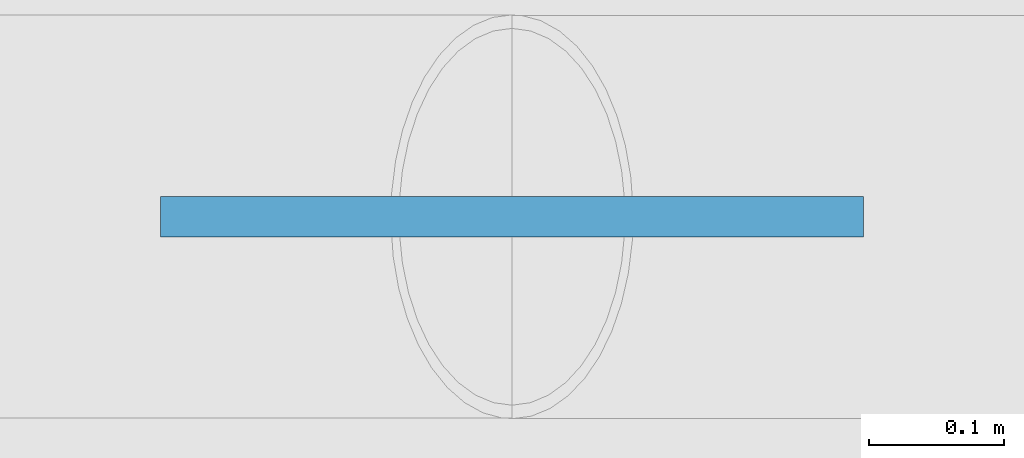
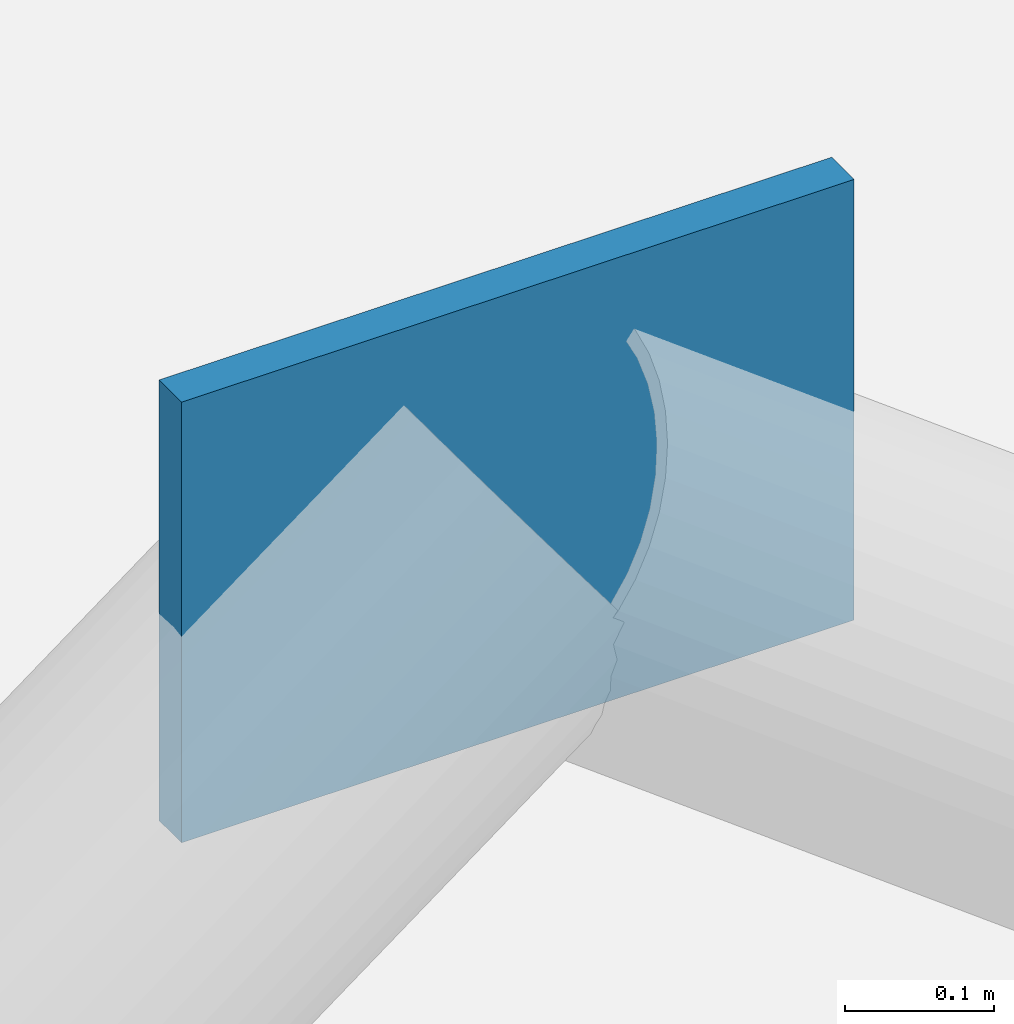
# One storey, part 70 of 123: 1 plate.
"""IFC4 building model written with IfcOpenShell, lengths in metres."""

from ifc_helpers import new_model, si_unit, derived_unit, direction, frame, origin, origin_2d, place, context, subcontext, project, spatial, rectangle, extrude, material, layer, layer_set, type_object, element, save


model = new_model("IFC4")

# Units and contexts
model_context = context("Model", 3, precision=1e-05, world=origin(), true_north=direction((0.0, 1.0)))
body_context = subcontext(model_context, "Body", "Model", "MODEL_VIEW")
ifc_project = project(units=[si_unit("LENGTHUNIT", "METRE"), si_unit("AREAUNIT", "SQUARE_METRE"), si_unit("VOLUMEUNIT", "CUBIC_METRE"), si_unit("PLANEANGLEUNIT", "RADIAN"), si_unit("MASSUNIT", "GRAM", prefix="KILO"), si_unit("THERMODYNAMICTEMPERATUREUNIT", "KELVIN"), derived_unit("THERMALTRANSMITTANCEUNIT", [(si_unit("POWERUNIT", "WATT"), 1), (si_unit("AREAUNIT", "SQUARE_METRE"), -1), (si_unit("THERMODYNAMICTEMPERATUREUNIT", "KELVIN"), -1)])], contexts=[model_context])

# Site, building, storey
site_placement = place(None, origin())
site = spatial("IfcSite", under=ifc_project, at=site_placement, CompositionType="ELEMENT")
building_placement = place(site_placement, origin())
building = spatial("IfcBuilding", under=site, at=building_placement, Name="Haiyu Intermodal Mobility Hub", CompositionType="ELEMENT")
storey_placement = place(building_placement, frame((0.0, 0.0, 5.60009765625)))
storey = spatial("IfcBuildingStorey", under=building, at=storey_placement, Name="L01", CompositionType="ELEMENT", Elevation=5.60009765625)

# Plate
ifc_material = material(Name="Steel Q355C", Category="steel")
ifc_layer = layer(ifc_material, 0.030029296875)
ifc_layer_set = layer_set([ifc_layer], Name="Steel Q355C")
plate_type = type_object("IfcPlateType", Name="PLT-GP05", PredefinedType="USERDEFINED", material=ifc_layer_set)
plate_placement = place(storey_placement, frame((182.0, 122.0, 2.81982421875), z_axis=(0.0, 0.0, 1.0), x_axis=(1.0, 0.0, 0.0)))
element("IfcPlate", 1, at=plate_placement, inside=storey, type_object=plate_type, Name="Chevron Brace Apex Gusset GP-B104", ObjectType="GUSSET PLATE", PredefinedType="USERDEFINED", context=body_context, shape_type="SweptSolid", body=[
    extrude(rectangle(XDim=0.52001953125, YDim=0.030029296875, at=origin_2d()), origin(), (0.0, 0.0, 1.0), 0.360107421875),
])

save(model, "model.ifc")
